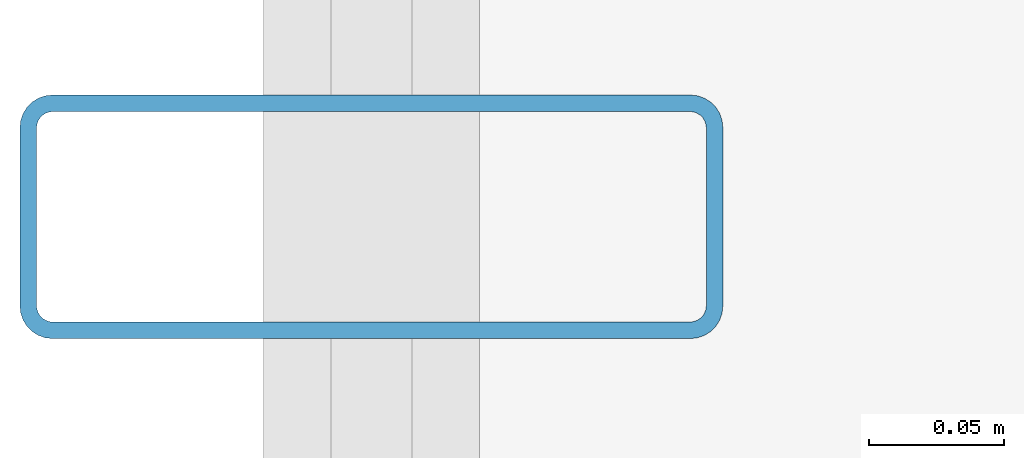
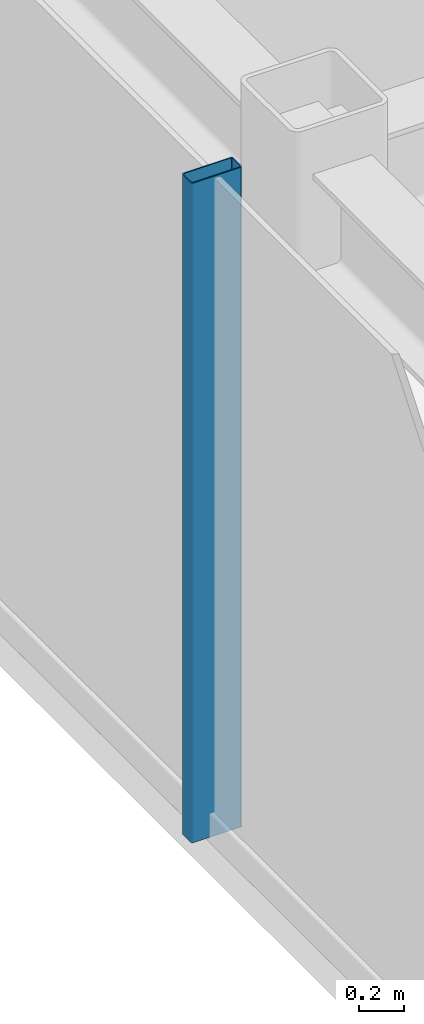
# One storey, part 4 of 17: 1 member, 1 element without a shape of its own.
"""IFC4 building model written with IfcOpenShell, lengths in metres."""

from ifc_helpers import new_model, si_unit, direction, frame, origin, origin_2d, place, context, subcontext, project, spatial, hollow_rectangle, extrude, source, transform, mapped, material, layer, layer_set, material_profile, profile_set, type_object, element, aggregate, save


model = new_model("IFC4")

# Units and contexts
model_context = context("Model", 3, precision=1e-05, world=origin(), true_north=direction((0.0, 1.0)))
body_context = subcontext(model_context, "Body", "Model", "MODEL_VIEW")
ifc_project = project(units=[si_unit("LENGTHUNIT", "METRE"), si_unit("AREAUNIT", "SQUARE_METRE"), si_unit("VOLUMEUNIT", "CUBIC_METRE"), si_unit("PLANEANGLEUNIT", "RADIAN"), si_unit("MASSUNIT", "GRAM", prefix="KILO")], contexts=[model_context])

# Site, building, storey
site_placement = place(None, origin())
site = spatial("IfcSite", under=ifc_project, at=site_placement, CompositionType="ELEMENT")
building_placement = place(site_placement, origin())
building = spatial("IfcBuilding", under=site, at=building_placement, Name="Nefas-Gora Pilgrimage Tower", CompositionType="ELEMENT")
storey_placement = place(building_placement, frame((0.0, 0.0, 337.60009765625)))
storey = spatial("IfcBuildingStorey", under=building, at=storey_placement, Name="L85", CompositionType="ELEMENT", Elevation=337.60009765625)

# Curtain wall, member
ifc_material_1 = material(Name="Dark ceramic-fritted solar-control aluminium-glass curtain wall", Category="aluminium")
ifc_layer = layer(ifc_material_1, 0.219970703125)
ifc_layer_set = layer_set([ifc_layer], Name="Dark ceramic-fritted solar-control aluminium-glass curtain wall")
curtain_wall_type = type_object("IfcCurtainWallType", Name="CW-SYS-4", PredefinedType="NOTDEFINED", material=ifc_layer_set)
curtain_wall_placement = place(storey_placement, origin())
curtain_wall = element("IfcCurtainWall", 1, at=curtain_wall_placement, inside=storey, type_object=curtain_wall_type, Name="L85 Unitised Curtain Wall CW4", PredefinedType="NOTDEFINED")
ifc_material_2 = material(Name="Anodised architectural aluminium", Category="aluminium")
ifc_material_profile = material_profile(ifc_material_2, hollow_rectangle(XDim=0.090087890625, YDim=0.260009765625, WallThickness=0.006103515625, InnerFilletRadius=0.006103515625, OuterFilletRadius=0.011962890625, at=origin_2d()), Name="ALU MULLION 90x260")
ifc_profile_set = profile_set([ifc_material_profile], Name="Anodised architectural aluminium")
member_type = type_object("IfcMemberType", Name="CWM-MUL-4", PredefinedType="MULLION", material=ifc_profile_set)
shared_shape = source(origin(), body_context, "Body", "SweptSolid", [
    extrude(hollow_rectangle(XDim=0.090087890625, YDim=0.260009765625, WallThickness=0.006103515625, InnerFilletRadius=0.006103515625, OuterFilletRadius=0.011962890625, at=origin_2d()), origin(), (0.0, 0.0, 1.0), 3.5498046875),
])
member_placement = place(storey_placement, frame((-25.27001953125, 0.0, 0.0), z_axis=(0.0, 0.0, 1.0), x_axis=(0.0, -1.0, 0.0)))
member = element("IfcMember", 2, at=member_placement, type_object=member_type, Name="CW4 Mullion 2", PredefinedType="MULLION", context=body_context, shape_type="MappedRepresentation", body=[
    mapped(shared_shape, transform((0.0, 0.0, 0.0), x_axis=(1.0, 0.0, 0.0), y_axis=(0.0, 1.0, 0.0), z_axis=(0.0, 0.0, 1.0), scale=1.0)),
])
aggregate(curtain_wall, [member])

save(model, "model.ifc")
